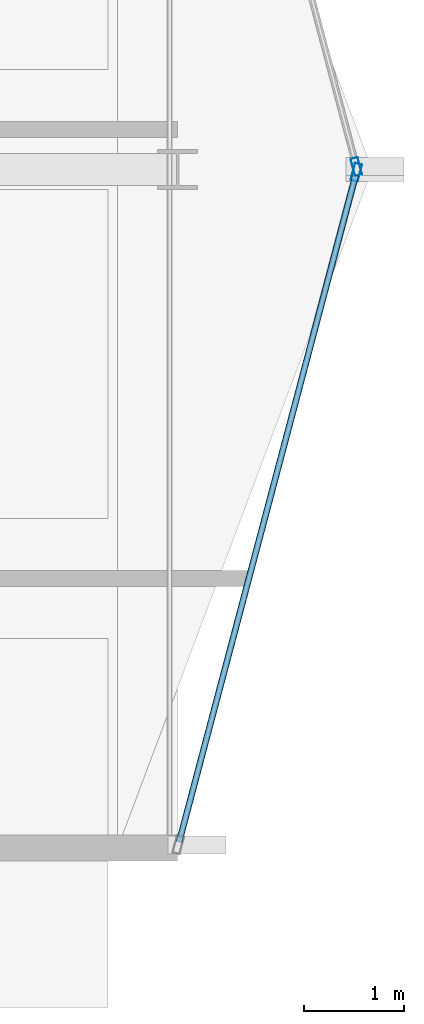
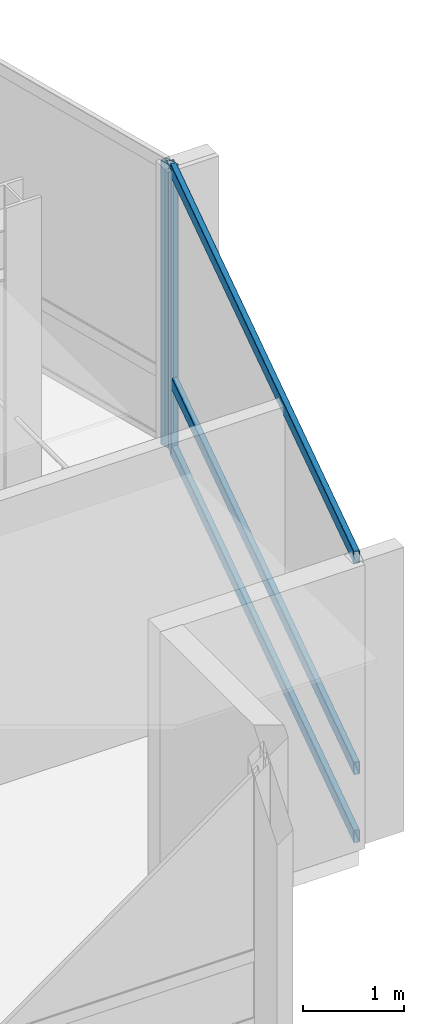
# One storey, part 11 of 28: 5 members, 2 elements without a shape of their own.
"""IFC4 building model written with IfcOpenShell, lengths in metres."""

from ifc_helpers import new_model, si_unit, direction, frame, origin, origin_2d, place, context, subcontext, project, spatial, hollow_rectangle, extrude, material, layer, layer_set, material_profile, profile_set, type_object, element, aggregate, save


model = new_model("IFC4")

# Units and contexts
model_context = context("Model", 3, precision=1e-05, world=origin(), true_north=direction((0.0, 1.0)))
body_context = subcontext(model_context, "Body", "Model", "MODEL_VIEW")
ifc_project = project(units=[si_unit("LENGTHUNIT", "METRE"), si_unit("AREAUNIT", "SQUARE_METRE"), si_unit("VOLUMEUNIT", "CUBIC_METRE"), si_unit("PLANEANGLEUNIT", "RADIAN"), si_unit("MASSUNIT", "GRAM", prefix="KILO")], contexts=[model_context])

# Site, building, storey
site_placement = place(None, origin())
site = spatial("IfcSite", under=ifc_project, at=site_placement, CompositionType="ELEMENT")
building_placement = place(site_placement, origin())
building = spatial("IfcBuilding", under=site, at=building_placement, Name="Solvaryn Broadcast Tower", CompositionType="ELEMENT")
storey_placement = place(building_placement, frame((0.0, 0.0, 209.89990234375)))
storey = spatial("IfcBuildingStorey", under=building, at=storey_placement, Name="L52", CompositionType="ELEMENT", Elevation=209.89990234375)

# Curtain wall, member
ifc_material_1 = material(Name="Aluminium and Terracotta Unitised Curtain Wall", Category="masonry")
ifc_layer = layer(ifc_material_1, 0.199951171875)
ifc_layer_set = layer_set([ifc_layer], Name="CW-SYS2-LOWMID")
curtain_wall_type = type_object("IfcCurtainWallType", Name="CW-SYS2-LOWMID", PredefinedType="NOTDEFINED", material=ifc_layer_set)
curtain_wall_1_placement = place(storey_placement, origin())
curtain_wall_1 = element("IfcCurtainWall", 1, at=curtain_wall_1_placement, inside=storey, type_object=curtain_wall_type, Name="L52 Curtain Wall ET1", PredefinedType="NOTDEFINED")
ifc_material_2 = material(Name="Anodised Aluminium 6063-T6", Category="aluminium")
ifc_material_profile_1 = material_profile(ifc_material_2, hollow_rectangle(XDim=0.074951171875, YDim=0.179931640625, WallThickness=0.00390625, InnerFilletRadius=0.00390625, OuterFilletRadius=0.008056640625, at=origin_2d()))
ifc_profile_set_1 = profile_set([ifc_material_profile_1], Name="Anodised Aluminium 6063-T6")
member_type_1 = type_object("IfcMemberType", Name="CW-MUL-180", PredefinedType="MULLION", material=ifc_profile_set_1)
member_1_placement = place(storey_placement, frame((55.792236328125, 18.029052734375, 0.0), z_axis=(0.0, 0.0, 1.0), x_axis=(0.966705227863, 0.25589256031, 0.0)))
member_1 = element("IfcMember", 2, at=member_1_placement, type_object=member_type_1, Name="CWS2 mullion 2", PredefinedType="MULLION", context=body_context, shape_type="SweptSolid", body=[
    extrude(hollow_rectangle(XDim=0.074951171875, YDim=0.179931640625, WallThickness=0.00390625, InnerFilletRadius=0.00390625, OuterFilletRadius=0.008056640625, at=origin_2d()), origin(), (0.0, 0.0, 1.0), 3.420166015625),
])
aggregate(curtain_wall_1, [member_1])

# Curtain wall, members
curtain_wall_2_placement = place(storey_placement, origin())
curtain_wall_2 = element("IfcCurtainWall", 3, at=curtain_wall_2_placement, inside=storey, type_object=curtain_wall_type, Name="L52 Curtain Wall ET2", PredefinedType="NOTDEFINED")
member_2_placement = place(storey_placement, frame((55.792236328125, 17.970947265625, 0.0), z_axis=(0.0, 0.0, 1.0), x_axis=(0.966705227863, -0.25589256031, 0.0)))
member_2 = element("IfcMember", 4, at=member_2_placement, type_object=member_type_1, Name="CWS2 mullion 1", PredefinedType="MULLION", context=body_context, shape_type="SweptSolid", body=[
    extrude(hollow_rectangle(XDim=0.074951171875, YDim=0.179931640625, WallThickness=0.00390625, InnerFilletRadius=0.00390625, OuterFilletRadius=0.008056640625, at=origin_2d()), origin(), (0.0, 0.0, 1.0), 3.420166015625),
])
ifc_material_3 = material(Name="Anodised Aluminium 6063-T6", Category="aluminium")
ifc_material_profile_2 = material_profile(ifc_material_3, hollow_rectangle(XDim=0.06494140625, YDim=0.14990234375, WallThickness=0.00390625, InnerFilletRadius=0.00390625, OuterFilletRadius=0.008056640625, at=origin_2d()))
ifc_profile_set_2 = profile_set([ifc_material_profile_2], Name="Anodised Aluminium 6063-T6")
member_type_2 = type_object("IfcMemberType", Name="CW-TRN-150", PredefinedType="USERDEFINED", material=ifc_profile_set_2)
member_3_placement = place(storey_placement, frame((55.78466796875, 17.94189453125, 0.030029296875), z_axis=(-0.255897413051, -0.966703943301, 0.0), x_axis=(0.966703943301, -0.255897413051, 0.0)))
member_3 = element("IfcMember", 5, at=member_3_placement, type_object=member_type_2, Name="CWS2 transom 1.1", ObjectType="TRANSOM", PredefinedType="USERDEFINED", context=body_context, shape_type="SweptSolid", body=[
    extrude(hollow_rectangle(XDim=0.06494140625, YDim=0.14990234375, WallThickness=0.00390625, InnerFilletRadius=0.00390625, OuterFilletRadius=0.008056640625, at=origin_2d()), origin(), (0.0, 0.0, 1.0), 6.9140625),
])
member_4_placement = place(storey_placement, frame((55.78466796875, 17.94189453125, 0.85009765625), z_axis=(-0.255897413051, -0.966703943301, 0.0), x_axis=(0.966703943301, -0.255897413051, 0.0)))
member_4 = element("IfcMember", 6, at=member_4_placement, type_object=member_type_2, Name="CWS2 transom 1.2", ObjectType="TRANSOM", PredefinedType="USERDEFINED", context=body_context, shape_type="SweptSolid", body=[
    extrude(hollow_rectangle(XDim=0.06494140625, YDim=0.14990234375, WallThickness=0.00390625, InnerFilletRadius=0.00390625, OuterFilletRadius=0.008056640625, at=origin_2d()), origin(), (0.0, 0.0, 1.0), 6.9140625),
])
member_5_placement = place(storey_placement, frame((55.78466796875, 17.94189453125, 3.39013671875), z_axis=(-0.255897413051, -0.966703943301, 0.0), x_axis=(0.966703943301, -0.255897413051, 0.0)))
member_5 = element("IfcMember", 7, at=member_5_placement, type_object=member_type_2, Name="CWS2 transom 1.3", ObjectType="TRANSOM", PredefinedType="USERDEFINED", context=body_context, shape_type="SweptSolid", body=[
    extrude(hollow_rectangle(XDim=0.06494140625, YDim=0.14990234375, WallThickness=0.00390625, InnerFilletRadius=0.00390625, OuterFilletRadius=0.008056640625, at=origin_2d()), origin(), (0.0, 0.0, 1.0), 6.9140625),
])
aggregate(curtain_wall_2, [member_2, member_3, member_4, member_5])

save(model, "model.ifc")
